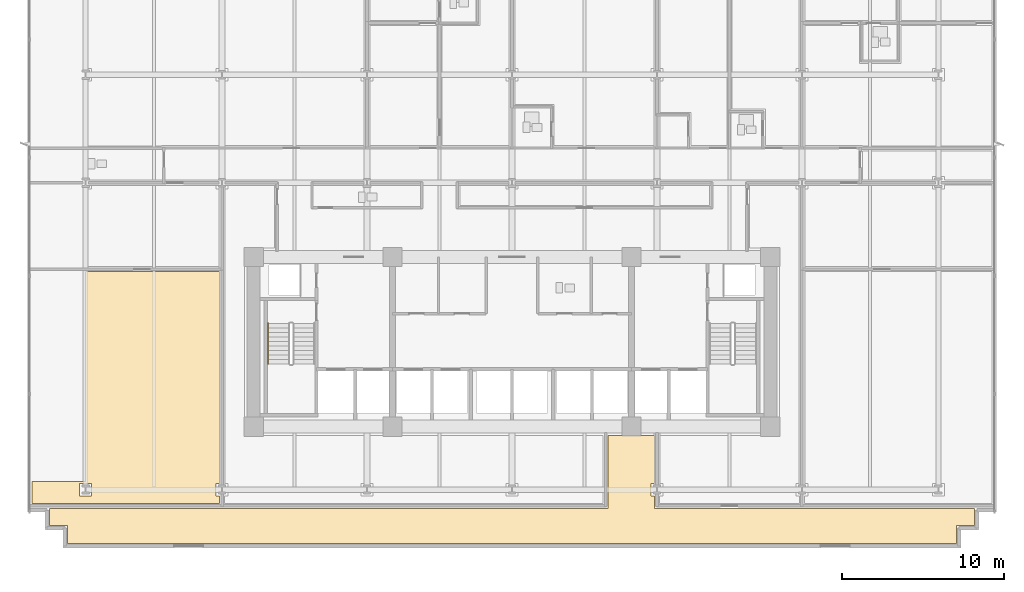
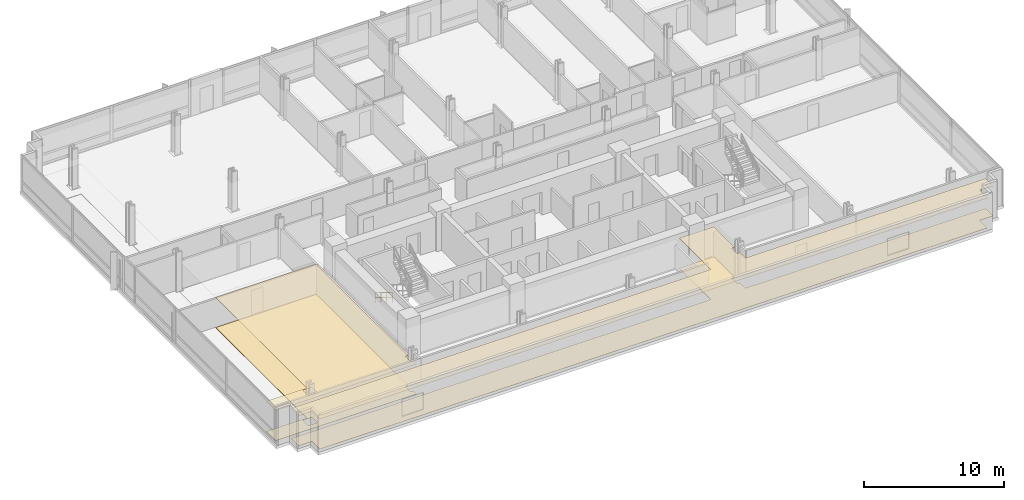
# One storey, part 12 of 17: 4 coverings, 1 railing.
"""IFC4 building model written with IfcOpenShell, lengths in metres."""

from ifc_helpers import new_model, si_unit, direction, frame, origin, origin_2d, place, context, subcontext, project, spatial, polyline, circle, outline, extrude, material, layer, layer_set, type_object, element, save


model = new_model("IFC4")

# Units and contexts
model_context = context("Model", 3, precision=1e-05, world=origin(), true_north=direction((0.0, 1.0)))
body_context = subcontext(model_context, "Body", "Model", "MODEL_VIEW")
ifc_project = project(units=[si_unit("LENGTHUNIT", "METRE"), si_unit("AREAUNIT", "SQUARE_METRE"), si_unit("VOLUMEUNIT", "CUBIC_METRE"), si_unit("PLANEANGLEUNIT", "RADIAN"), si_unit("MASSUNIT", "GRAM", prefix="KILO")], contexts=[model_context])

# Site, building, storey
site_placement = place(None, origin())
site = spatial("IfcSite", under=ifc_project, at=site_placement, CompositionType="ELEMENT")
building_placement = place(site_placement, origin())
building = spatial("IfcBuilding", under=site, at=building_placement, Name="Solmavex Isthmus Hotel", CompositionType="ELEMENT")
storey_placement = place(building_placement, frame((0.0, 0.0, 47.10009765625)))
storey = spatial("IfcBuildingStorey", under=building, at=storey_placement, Name="L12", CompositionType="ELEMENT", Elevation=47.10009765625)

# Coverings
ifc_material_1 = material(Name="Gypsum plasterboard lining", Category="gypsum")
ifc_layer_1 = layer(ifc_material_1, 0.030029296875)
ifc_layer_set_1 = layer_set([ifc_layer_1], Name="Gypsum plasterboard lining")
covering_type_1 = type_object("IfcCoveringType", Name="COV-CEIL-GYP", PredefinedType="CEILING", material=ifc_layer_set_1)
covering_1_placement = place(storey_placement, frame((0.0, 0.0, 2.619873046875)))
element("IfcCovering", 1, at=covering_1_placement, inside=storey, type_object=covering_type_1, Name="Suspended Acoustic Ceiling L12-FL15", PredefinedType="CEILING", context=body_context, shape_type="SweptSolid", body=[
    extrude(outline(polyline([(-28.625, -18.054931640625), (-28.625, -19.125), (-27.52490234375, -19.125), (-27.52490234375, -20.22509765625), (27.52490234375, -20.22509765625), (27.52490234375, -19.125), (28.625, -19.125), (28.625, -18.054931640625), (8.821044921875, -18.054931640625), (8.821044921875, -17.280029296875), (8.595947265625, -17.280029296875), (8.595947265625, -16.52001953125), (8.821044921875, -16.52001953125), (8.821044921875, -13.554931640625), (5.955078125, -13.554931640625), (5.955078125, -18.054931640625), (-28.625, -18.054931640625)])), origin(), (0.0, 0.0, 1.0), 0.030029296875),
])
covering_2_placement = place(storey_placement, frame((0.0, 0.0, 2.619873046875)))
element("IfcCovering", 2, at=covering_2_placement, inside=storey, type_object=covering_type_1, Name="Suspended Acoustic Ceiling L12-FL16", PredefinedType="CEILING", context=body_context, shape_type="SweptSolid", body=[
    extrude(outline(polyline([(-18.10693359375, -17.280029296875), (-18.33203125, -17.280029296875), (-18.33203125, -16.52001953125), (-18.10693359375, -16.52001953125), (-18.10693359375, -3.405029296875), (-26.39990234375, -3.405029296875), (-26.39990234375, -16.39990234375), (-29.72509765625, -16.39990234375), (-29.72509765625, -17.7451171875), (-18.10693359375, -17.7451171875), (-18.10693359375, -17.280029296875)]), holes=[polyline([(-26.780029296875, -17.280029296875), (-26.780029296875, -16.52001953125), (-26.02001953125, -16.52001953125), (-26.02001953125, -17.280029296875), (-26.780029296875, -17.280029296875)])]), origin(), (0.0, 0.0, 1.0), 0.030029296875),
])
ifc_material_2 = material(Name="Travertine natural stone", Category="masonry")
ifc_layer_2 = layer(ifc_material_2, 0.02490234375)
ifc_layer_set_2 = layer_set([ifc_layer_2], Name="Travertine natural stone")
covering_type_2 = type_object("IfcCoveringType", Name="COV-FLOR-STN", PredefinedType="FLOORING", material=ifc_layer_set_2)
covering_3_placement = place(storey_placement, origin())
element("IfcCovering", 3, at=covering_3_placement, inside=storey, type_object=covering_type_2, Name="Stone and Timber Floor Finish L12-FL15", PredefinedType="FLOORING", context=body_context, shape_type="SweptSolid", body=[
    extrude(outline(polyline([(-28.625, -18.054931640625), (-28.625, -19.125), (-27.52490234375, -19.125), (-27.52490234375, -20.22509765625), (27.52490234375, -20.22509765625), (27.52490234375, -19.125), (28.625, -19.125), (28.625, -18.054931640625), (8.821044921875, -18.054931640625), (8.821044921875, -17.280029296875), (8.595947265625, -17.280029296875), (8.595947265625, -16.52001953125), (8.821044921875, -16.52001953125), (8.821044921875, -13.554931640625), (5.955078125, -13.554931640625), (5.955078125, -18.054931640625), (-28.625, -18.054931640625)])), origin(), (0.0, 0.0, 1.0), 0.02490234375),
])
covering_4_placement = place(storey_placement, origin())
element("IfcCovering", 4, at=covering_4_placement, inside=storey, type_object=covering_type_2, Name="Stone and Timber Floor Finish L12-FL16", PredefinedType="FLOORING", context=body_context, shape_type="SweptSolid", body=[
    extrude(outline(polyline([(-18.10693359375, -17.280029296875), (-18.33203125, -17.280029296875), (-18.33203125, -16.52001953125), (-18.10693359375, -16.52001953125), (-18.10693359375, -3.405029296875), (-26.39990234375, -3.405029296875), (-26.39990234375, -16.39990234375), (-29.72509765625, -16.39990234375), (-29.72509765625, -17.7451171875), (-18.10693359375, -17.7451171875), (-18.10693359375, -17.280029296875)]), holes=[polyline([(-26.780029296875, -17.280029296875), (-26.780029296875, -16.52001953125), (-26.02001953125, -16.52001953125), (-26.02001953125, -17.280029296875), (-26.780029296875, -17.280029296875)])]), origin(), (0.0, 0.0, 1.0), 0.02490234375),
])

# Railing
ifc_material_3 = material(Name="Stainless steel 316", Category="steel")
ifc_layer_3 = layer(ifc_material_3, 0.050048828125)
ifc_layer_set_3 = layer_set([ifc_layer_3], Name="Stainless steel 316")
railing_type = type_object("IfcRailingType", Name="RAIL-STAIR-HR", PredefinedType="HANDRAIL", material=ifc_layer_set_3)
railing_placement = place(storey_placement, frame((-15.10009765625, -6.60009765625, 0.17236328125)))
element("IfcRailing", 5, at=railing_placement, inside=storey, type_object=railing_type, Name="L12 ST-1 stair handrail 1", PredefinedType="HANDRAIL", context=body_context, shape_type="SweptSolid", body=[
    extrude(circle(Radius=0.02392578125, at=origin_2d()), frame((0.0, 0.0, 0.8759765625), z_axis=(0.0, -0.851400495292, 0.524516154772), x_axis=(1.0, 0.0, 0.0)), (0.0, 0.0, 1.0), 2.9599609375),
    extrude(circle(Radius=0.02392578125, at=origin_2d()), frame((0.0, 0.0, 0.449951171875), z_axis=(0.0, -0.851400495292, 0.524516154772), x_axis=(1.0, 0.0, 0.0)), (0.0, 0.0, 1.0), 2.9599609375),
    extrude(circle(Radius=0.02099609375, at=origin_2d()), origin(), (0.0, 0.0, 1.0), 0.851806640625),
    extrude(circle(Radius=0.02099609375, at=origin_2d()), frame((0.0, -0.840087890625, 0.517578125)), (0.0, 0.0, 1.0), 0.851806640625),
    extrude(circle(Radius=0.02099609375, at=origin_2d()), frame((0.0, -1.679931640625, 1.034912109375)), (0.0, 0.0, 1.0), 0.851806640625),
    extrude(circle(Radius=0.02099609375, at=origin_2d()), frame((0.0, -2.52001953125, 1.552490234375)), (0.0, 0.0, 1.0), 0.851806640625),
])

save(model, "model.ifc")
